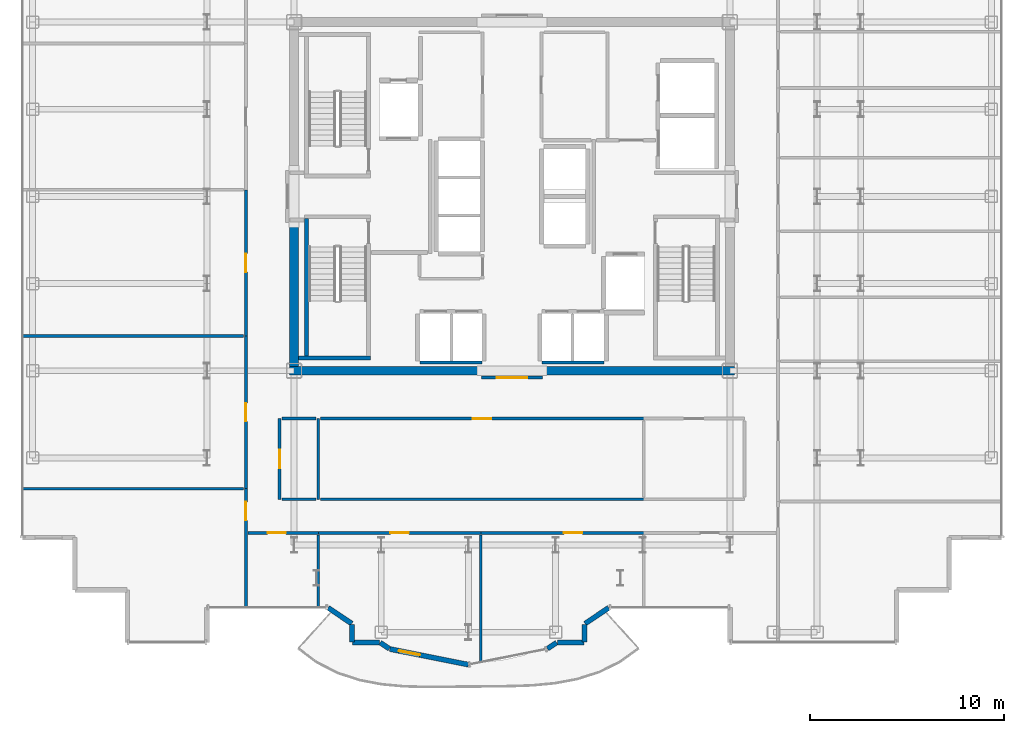
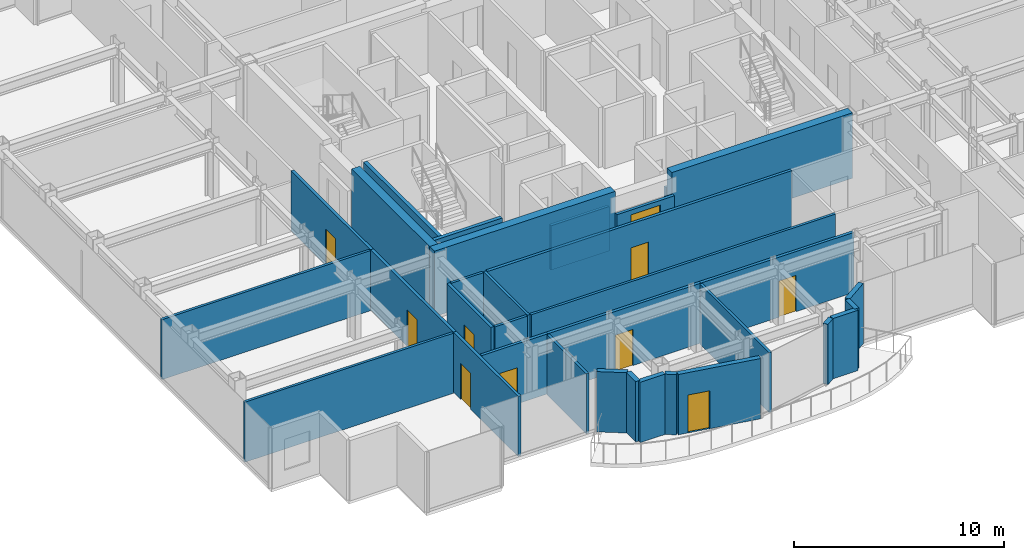
# One storey, part 14 of 21: 33 walls, 10 doors, 10 openings.
"""IFC4 building model written with IfcOpenShell, lengths in metres."""

from ifc_helpers import new_model, si_unit, direction, frame, frame_2d, origin, place, context, subcontext, project, spatial, rectangle, extrude, source, transform, mapped, material, layer, layer_set, type_object, element, fill, save


model = new_model("IFC4")

# Units and contexts
model_context = context("Model", 3, precision=1e-05, world=origin(), true_north=direction((0.0, 1.0)))
body_context = subcontext(model_context, "Body", "Model", "MODEL_VIEW")
ifc_project = project(units=[si_unit("LENGTHUNIT", "METRE"), si_unit("AREAUNIT", "SQUARE_METRE"), si_unit("VOLUMEUNIT", "CUBIC_METRE"), si_unit("PLANEANGLEUNIT", "RADIAN"), si_unit("MASSUNIT", "GRAM", prefix="KILO")], contexts=[model_context])

# Site, building, storey
site_placement = place(None, origin())
site = spatial("IfcSite", under=ifc_project, at=site_placement, CompositionType="ELEMENT")
building_placement = place(site_placement, origin())
building = spatial("IfcBuilding", under=site, at=building_placement, Name="Nefas-Gora Pilgrimage Tower", CompositionType="ELEMENT")
storey_placement = place(building_placement, frame((0.0, 0.0, 256.0)))
storey = spatial("IfcBuildingStorey", under=building, at=storey_placement, Name="L64", CompositionType="ELEMENT", Elevation=256.0)

# Walls
ifc_material_1 = material(Name="Concrete C50/60", Category="concrete")
ifc_layer_1 = layer(ifc_material_1, 0.449951171875)
ifc_layer_set_1 = layer_set([ifc_layer_1], Name="Concrete C50/60")
wall_type_1 = type_object("IfcWallType", Name="SW-CORE-450", PredefinedType="SHEAR", material=ifc_layer_set_1)
shared_shape_1 = source(origin(), body_context, "Body", "SweptSolid", [
    extrude(rectangle(XDim=9.925048828125, YDim=0.449951171875, at=frame_2d((4.96240234375, 0.0))), origin(), (0.0, 0.0, 1.0), 3.800048828125),
])
for number, where, z_axis, x_axis, name in (
    (1, (-11.47509765625, -9.0, 0.0), (0.0, 0.0, 1.0), (1.0, 0.0, 0.0), "L64 Core Shear Wall S-West"),
    (2, (1.550048828125, -9.0, 0.0), (0.0, 0.0, 1.0), (1.0, 0.0, 0.0), "L64 Core Shear Wall S-East"),
):
    element("IfcWall", number, at=place(storey_placement, frame(where, z_axis=z_axis, x_axis=x_axis)), inside=storey, type_object=wall_type_1, Name=name, PredefinedType="SHEAR", context=body_context, shape_type="MappedRepresentation", body=[
        mapped(shared_shape_1, transform((0.0, 0.0, 0.0), x_axis=(1.0, 0.0, 0.0), y_axis=(0.0, 1.0, 0.0), z_axis=(0.0, 0.0, 1.0), scale=1.0)),
    ])
shared_shape_2 = source(origin(), body_context, "Body", "SweptSolid", [
    extrude(rectangle(XDim=7.4248046875, YDim=0.449951171875, at=frame_2d((3.71240234375, 0.0))), origin(), (0.0, 0.0, 1.0), 3.800048828125),
])
wall_1_placement = place(storey_placement, frame((-11.25, -8.77490234375, 0.0), z_axis=(0.0, 0.0, 1.0), x_axis=(0.0, 1.0, 0.0)))
element("IfcWall", 3, at=wall_1_placement, inside=storey, type_object=wall_type_1, Name="L64 Core Shear Wall W-South", PredefinedType="SHEAR", context=body_context, shape_type="MappedRepresentation", body=[
    mapped(shared_shape_2, transform((0.0, 0.0, 0.0), x_axis=(1.0, 0.0, 0.0), y_axis=(0.0, 1.0, 0.0), z_axis=(0.0, 0.0, 1.0), scale=1.0)),
])
ifc_material_2 = material(Name="Precast concrete C40/50", Category="concrete")
ifc_layer_2 = layer(ifc_material_2, 0.260009765625)
ifc_layer_set_2 = layer_set([ifc_layer_2], Name="Precast concrete C40/50")
wall_type_2 = type_object("IfcWallType", Name="EW-PORTAL-260", PredefinedType="SOLIDWALL", material=ifc_layer_set_2)
shared_shape_3 = source(origin(), body_context, "Body", "SweptSolid", [
    extrude(rectangle(XDim=1.468994140625, YDim=0.260009765625, at=frame_2d((0.734375, 0.0))), origin(), (0.0, 0.0, 1.0), 3.5),
])
for number, where, z_axis, x_axis, name in (
    (4, (-9.49462890625, -21.235595703125, 0.0), (0.0, 0.0, 1.0), (0.831461760506, -0.555581983884, 0.0), "L64 Lobe Shoulder Precast Spandrel Pier 30"),
    (5, (3.773193359375, -22.0517578125, 0.0), (0.0, 0.0, 1.0), (0.831461760506, 0.555581983884, 0.0), "L64 Lobe Shoulder Precast Spandrel Pier 38"),
):
    element("IfcWall", number, at=place(storey_placement, frame(where, z_axis=z_axis, x_axis=x_axis)), inside=storey, type_object=wall_type_2, Name=name, PredefinedType="SOLIDWALL", context=body_context, shape_type="MappedRepresentation", body=[
        mapped(shared_shape_3, transform((0.0, 0.0, 0.0), x_axis=(1.0, 0.0, 0.0), y_axis=(0.0, 1.0, 0.0), z_axis=(0.0, 0.0, 1.0), scale=1.0)),
    ])
shared_shape_4 = source(origin(), body_context, "Body", "SweptSolid", [
    extrude(rectangle(XDim=0.896728515625, YDim=0.260009765625, at=frame_2d((0.4482421875, 0.0))), origin(), (0.0, 0.0, 1.0), 3.5),
])
for number, where, z_axis, x_axis, name in (
    (6, (-8.25, -22.09521484375, 0.0), (0.0, 0.0, 1.0), (0.0, -1.0, 0.0), "L64 Lobe Shoulder Precast Spandrel Pier 31"),
    (7, (3.75, -22.991943359375, 0.0), (0.0, 0.0, 1.0), (0.0, 1.0, 0.0), "L64 Lobe Shoulder Precast Spandrel Pier 37"),
):
    element("IfcWall", number, at=place(storey_placement, frame(where, z_axis=z_axis, x_axis=x_axis)), inside=storey, type_object=wall_type_2, Name=name, PredefinedType="SOLIDWALL", context=body_context, shape_type="MappedRepresentation", body=[
        mapped(shared_shape_4, transform((0.0, 0.0, 0.0), x_axis=(1.0, 0.0, 0.0), y_axis=(0.0, 1.0, 0.0), z_axis=(0.0, 0.0, 1.0), scale=1.0)),
    ])
shared_shape_5 = source(origin(), body_context, "Body", "SweptSolid", [
    extrude(rectangle(XDim=1.369873046875, YDim=0.260009765625, at=frame_2d((0.68505859375, 0.0))), origin(), (0.0, 0.0, 1.0), 3.5),
])
for number, where, z_axis, x_axis, name in (
    (8, (-8.221923828125, -23.02001953125, 0.0), (0.0, 0.0, 1.0), (1.0, 0.0, 0.0), "L64 Lobe Shoulder Precast Spandrel Pier 32"),
    (9, (2.35205078125, -23.02001953125, 0.0), (0.0, 0.0, 1.0), (1.0, 0.0, 0.0), "L64 Lobe Shoulder Precast Spandrel Pier 36"),
):
    element("IfcWall", number, at=place(storey_placement, frame(where, z_axis=z_axis, x_axis=x_axis)), inside=storey, type_object=wall_type_2, Name=name, PredefinedType="SOLIDWALL", context=body_context, shape_type="MappedRepresentation", body=[
        mapped(shared_shape_5, transform((0.0, 0.0, 0.0), x_axis=(1.0, 0.0, 0.0), y_axis=(0.0, 1.0, 0.0), z_axis=(0.0, 0.0, 1.0), scale=1.0)),
    ])
shared_shape_6 = source(origin(), body_context, "Body", "SweptSolid", [
    extrude(rectangle(XDim=0.5654296875, YDim=0.260009765625, at=frame_2d((0.28271484375, 0.0))), origin(), (0.0, 0.0, 1.0), 3.5),
])
for number, where, z_axis, x_axis, name in (
    (10, (-6.80078125, -23.03564453125, 0.0), (0.0, 0.0, 1.0), (0.831651492666, -0.555297933317, 0.0), "L64 Lobe Shoulder Precast Spandrel Pier 33"),
    (11, (1.83056640625, -23.349609375, 0.0), (0.0, 0.0, 1.0), (0.831651492666, 0.555297933317, 0.0), "L64 Lobe Shoulder Precast Spandrel Pier 35"),
):
    element("IfcWall", number, at=place(storey_placement, frame(where, z_axis=z_axis, x_axis=x_axis)), inside=storey, type_object=wall_type_2, Name=name, PredefinedType="SOLIDWALL", context=body_context, shape_type="MappedRepresentation", body=[
        mapped(shared_shape_6, transform((0.0, 0.0, 0.0), x_axis=(1.0, 0.0, 0.0), y_axis=(0.0, 1.0, 0.0), z_axis=(0.0, 0.0, 1.0), scale=1.0)),
    ])

# Wall, opening, door
shared_shape_7 = source(origin(), body_context, "Body", "SweptSolid", [
    extrude(rectangle(XDim=4.136962890625, YDim=0.260009765625, at=frame_2d((2.068359375, 0.0))), origin(), (0.0, 0.0, 1.0), 3.5),
])
wall_2_placement = place(storey_placement, frame((-6.307373046875, -23.365234375, 0.0), z_axis=(0.0, 0.0, 1.0), x_axis=(0.980782170794, -0.195105954428, 0.0)))
wall_2 = element("IfcWall", 12, at=wall_2_placement, inside=storey, type_object=wall_type_2, Name="L64 Insulated Terrace Portal Wall 34", PredefinedType="SOLIDWALL", context=body_context, shape_type="MappedRepresentation", body=[
    mapped(shared_shape_7, transform((0.0, 0.0, 0.0), x_axis=(1.0, 0.0, 0.0), y_axis=(0.0, 1.0, 0.0), z_axis=(0.0, 0.0, 1.0), scale=1.0)),
])
opening_1_placement = place(wall_2_placement, frame((0.48779296875, 0.0, 0.0)))
opening_1 = element("IfcOpeningElement", 13, at=opening_1_placement, cuts=wall_2, Name="Opening ED-B1", PredefinedType="OPENING", context=body_context, shape_type="SweptSolid", body=[
    extrude(rectangle(XDim=1.10009765625, YDim=2.199951171875, at=frame_2d((0.550048828125, 1.10009765625))), frame((0.0, 0.139892578125, 0.0), z_axis=(0.0, -1.0, 0.0), x_axis=(1.0, 0.0, 0.0)), (0.0, 0.0, 1.0), 0.280029296875),
])
ifc_material_3 = material(Name="Thermally broken glazed aluminium balcony door", Category="aluminium")
door_type_1 = type_object("IfcDoorType", Name="DR-EXT-BAL-1100", OperationType="NOTDEFINED", PredefinedType="DOOR", material=ifc_material_3)
shared_shape_8 = source(origin(), body_context, "Body", "SweptSolid", [
    extrude(rectangle(XDim=1.10009765625, YDim=2.199951171875, at=frame_2d((0.550048828125, 1.10009765625))), frame((0.0, 0.02490234375, 0.0), z_axis=(0.0, -1.0, 0.0), x_axis=(1.0, 0.0, 0.0)), (0.0, 0.0, 1.0), 0.050048828125),
])
door_1_placement = place(opening_1_placement, origin())
door_1 = element("IfcDoor", 14, at=door_1_placement, inside=storey, type_object=door_type_1, Name="L64 Exterior Door (L64 S Lobe Wave Balcony)", OperationType="SINGLE_SWING_RIGHT", OverallHeight=2.199951171875, OverallWidth=1.10009765625, PredefinedType="DOOR", context=body_context, shape_type="MappedRepresentation", body=[
    mapped(shared_shape_8, transform((0.0, 0.0, 0.0), x_axis=(1.0, 0.0, 0.0), y_axis=(0.0, 1.0, 0.0), z_axis=(0.0, 0.0, 1.0), scale=1.0)),
])
fill(opening_1, door_1)

# Walls
ifc_material_4 = material(Name="Concrete C45/55", Category="concrete")
ifc_layer_3 = layer(ifc_material_4, 0.199951171875)
ifc_layer_set_3 = layer_set([ifc_layer_3], Name="Concrete C45/55")
wall_type_3 = type_object("IfcWallType", Name="IW-STAIR-200", PredefinedType="SOLIDWALL", material=ifc_layer_set_3)
shared_shape_9 = source(origin(), body_context, "Body", "SweptSolid", [
    extrude(rectangle(XDim=7.10009765625, YDim=0.199951171875, at=frame_2d((3.550048828125, 0.0))), origin(), (0.0, 0.0, 1.0), 3.800048828125),
])
wall_3_placement = place(storey_placement, frame((-10.60009765625, -1.14990234375, 0.0), z_axis=(0.0, 0.0, 1.0), x_axis=(0.0, -1.0, 0.0)))
element("IfcWall", 15, at=wall_3_placement, inside=storey, type_object=wall_type_3, Name="L64 Stairwell Shear Wall ST-03-left", PredefinedType="SOLIDWALL", context=body_context, shape_type="MappedRepresentation", body=[
    mapped(shared_shape_9, transform((0.0, 0.0, 0.0), x_axis=(1.0, 0.0, 0.0), y_axis=(0.0, 1.0, 0.0), z_axis=(0.0, 0.0, 1.0), scale=1.0)),
])
shared_shape_10 = source(origin(), body_context, "Body", "SweptSolid", [
    extrude(rectangle(XDim=3.72998046875, YDim=0.199951171875, at=frame_2d((1.864990234375, 0.0))), origin(), (0.0, 0.0, 1.0), 3.800048828125),
])
wall_4_placement = place(storey_placement, frame((-11.030029296875, -8.35009765625, 0.0), z_axis=(0.0, 0.0, 1.0), x_axis=(1.0, 0.0, 0.0)))
element("IfcWall", 16, at=wall_4_placement, inside=storey, type_object=wall_type_3, Name="L64 Stairwell Shear Wall ST-03-far", PredefinedType="SOLIDWALL", context=body_context, shape_type="MappedRepresentation", body=[
    mapped(shared_shape_10, transform((0.0, 0.0, 0.0), x_axis=(1.0, 0.0, 0.0), y_axis=(0.0, 1.0, 0.0), z_axis=(0.0, 0.0, 1.0), scale=1.0)),
])
ifc_material_5 = material(Name="Gypsum acoustic stud partition")
ifc_layer_4 = layer(ifc_material_5, 0.159912109375)
ifc_layer_set_4 = layer_set([ifc_layer_4], Name="Gypsum acoustic stud partition")
wall_type_4 = type_object("IfcWallType", Name="IW-CORR-160", PredefinedType="PARTITIONING", material=ifc_layer_set_4)
shared_shape_11 = source(origin(), body_context, "Body", "SweptSolid", [
    extrude(rectangle(XDim=3.199951171875, YDim=0.159912109375, at=frame_2d((1.60009765625, 0.0))), origin(), (0.0, 0.0, 1.0), 2.574951171875),
])
for number, where, z_axis, x_axis, name in (
    (17, (-4.75, -8.580078125, 0.0), (0.0, 0.0, 1.0), (1.0, 0.0, 0.0), "L64 Hoistway Wall PL2-W-S"),
    (18, (1.550048828125, -8.580078125, 0.0), (0.0, 0.0, 1.0), (1.0, 0.0, 0.0), "L64 Hoistway Wall PL2-E-S"),
):
    element("IfcWall", number, at=place(storey_placement, frame(where, z_axis=z_axis, x_axis=x_axis)), inside=storey, type_object=wall_type_4, Name=name, PredefinedType="PARTITIONING", context=body_context, shape_type="MappedRepresentation", body=[
        mapped(shared_shape_11, transform((0.0, 0.0, 0.0), x_axis=(1.0, 0.0, 0.0), y_axis=(0.0, 1.0, 0.0), z_axis=(0.0, 0.0, 1.0), scale=1.0)),
    ])

# Wall, opening, door
shared_shape_12 = source(origin(), body_context, "Body", "SweptSolid", [
    extrude(rectangle(XDim=3.625, YDim=0.159912109375, at=frame_2d((1.8125, 0.0))), origin(), (0.0, 0.0, 1.0), 3.485107421875),
])
wall_5_placement = place(storey_placement, frame((-13.6201171875, -17.3701171875, 0.0), z_axis=(0.0, 0.0, 1.0), x_axis=(1.0, 0.0, 0.0)))
wall_5 = element("IfcWall", 19, at=wall_5_placement, inside=storey, type_object=wall_type_4, Name="L64 Pilgrim Contemplative Lounge Partition Wall 75", PredefinedType="PARTITIONING", context=body_context, shape_type="MappedRepresentation", body=[
    mapped(shared_shape_12, transform((0.0, 0.0, 0.0), x_axis=(1.0, 0.0, 0.0), y_axis=(0.0, 1.0, 0.0), z_axis=(0.0, 0.0, 1.0), scale=1.0)),
])
opening_2_placement = place(wall_5_placement, frame((0.9990234375, 0.0, 0.0)))
opening_2 = element("IfcOpeningElement", 20, at=opening_2_placement, cuts=wall_5, Name="Opening ID-GR1", PredefinedType="OPENING", context=body_context, shape_type="SweptSolid", body=[
    extrude(rectangle(XDim=0.949951171875, YDim=2.10009765625, at=frame_2d((0.47509765625, 1.050048828125))), frame((0.0, 0.08984375, 0.0), z_axis=(0.0, -1.0, 0.0), x_axis=(1.0, 0.0, 0.0)), (0.0, 0.0, 1.0), 0.179931640625),
])
ifc_material_6 = material(Name="Solid core oak fire-rated guest entrance door")
door_type_2 = type_object("IfcDoorType", Name="DR-INT-GUEST-950", OperationType="NOTDEFINED", PredefinedType="DOOR", material=ifc_material_6)
shared_shape_13 = source(origin(), body_context, "Body", "SweptSolid", [
    extrude(rectangle(XDim=0.949951171875, YDim=2.10009765625, at=frame_2d((0.47509765625, 1.050048828125))), frame((0.0, 0.02490234375, 0.0), z_axis=(0.0, -1.0, 0.0), x_axis=(1.0, 0.0, 0.0)), (0.0, 0.0, 1.0), 0.050048828125),
])
door_2_placement = place(opening_2_placement, origin())
door_2 = element("IfcDoor", 21, at=door_2_placement, inside=storey, type_object=door_type_2, Name="L64 Pilgrim Contemplative Lounge Door 34", OperationType="SINGLE_SWING_RIGHT", OverallHeight=2.10009765625, OverallWidth=0.949951171875, PredefinedType="DOOR", context=body_context, shape_type="MappedRepresentation", body=[
    mapped(shared_shape_13, transform((0.0, 0.0, 0.0), x_axis=(1.0, 0.0, 0.0), y_axis=(0.0, 1.0, 0.0), z_axis=(0.0, 0.0, 1.0), scale=1.0)),
])
fill(opening_2, door_2)

shared_shape_14 = source(origin(), body_context, "Body", "SweptSolid", [
    extrude(rectangle(XDim=8.405029296875, YDim=0.159912109375, at=frame_2d((4.20263671875, 0.0))), origin(), (0.0, 0.0, 1.0), 3.485107421875),
])
wall_6_placement = place(storey_placement, frame((-1.60009765625, -17.3701171875, 0.0), z_axis=(0.0, 0.0, 1.0), x_axis=(1.0, 0.0, 0.0)))
wall_6 = element("IfcWall", 22, at=wall_6_placement, inside=storey, type_object=wall_type_4, Name="L64 Pilgrim Contemplative Lounge Partition Wall 83", PredefinedType="PARTITIONING", context=body_context, shape_type="MappedRepresentation", body=[
    mapped(shared_shape_14, transform((0.0, 0.0, 0.0), x_axis=(1.0, 0.0, 0.0), y_axis=(0.0, 1.0, 0.0), z_axis=(0.0, 0.0, 1.0), scale=1.0)),
])
opening_3_placement = place(wall_6_placement, frame((4.279052734375, 0.0, 0.0)))
opening_3 = element("IfcOpeningElement", 23, at=opening_3_placement, cuts=wall_6, Name="Opening ID-GR1", PredefinedType="OPENING", context=body_context, shape_type="SweptSolid", body=[
    extrude(rectangle(XDim=0.949951171875, YDim=2.10009765625, at=frame_2d((0.47509765625, 1.050048828125))), frame((0.0, 0.08984375, 0.0), z_axis=(0.0, -1.0, 0.0), x_axis=(1.0, 0.0, 0.0)), (0.0, 0.0, 1.0), 0.179931640625),
])
door_3_placement = place(opening_3_placement, origin())
door_3 = element("IfcDoor", 24, at=door_3_placement, inside=storey, type_object=door_type_2, Name="L64 Pilgrim Contemplative Lounge Door 37", OperationType="SINGLE_SWING_LEFT", OverallHeight=2.10009765625, OverallWidth=0.949951171875, PredefinedType="DOOR", context=body_context, shape_type="MappedRepresentation", body=[
    mapped(shared_shape_13, transform((0.0, 0.0, 0.0), x_axis=(1.0, 0.0, 0.0), y_axis=(0.0, 1.0, 0.0), z_axis=(0.0, 0.0, 1.0), scale=1.0)),
])
fill(opening_3, door_3)

# Walls
ifc_material_7 = material(Name="Gypsum twin-stud partition")
ifc_layer_5 = layer(ifc_material_7, 0.139892578125)
ifc_layer_set_5 = layer_set([ifc_layer_5], Name="Gypsum twin-stud partition")
wall_type_5 = type_object("IfcWallType", Name="IW-UNIT-140", PredefinedType="PARTITIONING", material=ifc_layer_set_5)
shared_shape_15 = source(origin(), body_context, "Body", "SweptSolid", [
    extrude(rectangle(XDim=11.429931640625, YDim=0.139892578125, at=frame_2d((5.71484375, 0.0))), origin(), (0.0, 0.0, 1.0), 3.485107421875),
])
for number, where, z_axis, x_axis, name in (
    (25, (-25.2900390625, -15.097412109375, 0.0), (0.0, 0.0, 1.0), (1.0, 0.0, 0.0), "L64 Pilgrim Devotional Prayer Gallery Partition Wall 29"),
    (26, (-25.2900390625, -7.205078125, 0.0), (0.0, 0.0, 1.0), (1.0, 0.0, 0.0), "L64 Pilgrim Devotional Prayer Gallery Partition Wall 31"),
):
    element("IfcWall", number, at=place(storey_placement, frame(where, z_axis=z_axis, x_axis=x_axis)), inside=storey, type_object=wall_type_5, Name=name, PredefinedType="PARTITIONING", context=body_context, shape_type="MappedRepresentation", body=[
        mapped(shared_shape_15, transform((0.0, 0.0, 0.0), x_axis=(1.0, 0.0, 0.0), y_axis=(0.0, 1.0, 0.0), z_axis=(0.0, 0.0, 1.0), scale=1.0)),
    ])
shared_shape_16 = source(origin(), body_context, "Body", "SweptSolid", [
    extrude(rectangle(XDim=3.75, YDim=0.139892578125, at=frame_2d((1.875, 0.0))), origin(), (0.0, 0.0, 1.0), 3.485107421875),
])
wall_7_placement = place(storey_placement, frame((-10.0048828125, -21.239990234375, 0.0), z_axis=(0.0, 0.0, 1.0), x_axis=(0.0, 1.0, 0.0)))
element("IfcWall", 27, at=wall_7_placement, inside=storey, type_object=wall_type_5, Name="L64 Pilgrim Contemplative Lounge Partition Wall 76", PredefinedType="PARTITIONING", context=body_context, shape_type="MappedRepresentation", body=[
    mapped(shared_shape_16, transform((0.0, 0.0, 0.0), x_axis=(1.0, 0.0, 0.0), y_axis=(0.0, 1.0, 0.0), z_axis=(0.0, 0.0, 1.0), scale=1.0)),
])

# Wall, opening, door
shared_shape_17 = source(origin(), body_context, "Body", "SweptSolid", [
    extrude(rectangle(XDim=4.179931640625, YDim=0.159912109375, at=frame_2d((2.08984375, 0.0))), origin(), (0.0, 0.0, 1.0), 3.485107421875),
])
wall_8_placement = place(storey_placement, frame((-12.0, -15.639892578125, 0.0), z_axis=(0.0, 0.0, 1.0), x_axis=(0.0, 1.0, 0.0)))
wall_8 = element("IfcWall", 28, at=wall_8_placement, inside=storey, type_object=wall_type_4, Name="L64 Pilgrim Contemplative Lounge Partition Wall 77", PredefinedType="PARTITIONING", context=body_context, shape_type="MappedRepresentation", body=[
    mapped(shared_shape_17, transform((0.0, 0.0, 0.0), x_axis=(1.0, 0.0, 0.0), y_axis=(0.0, 1.0, 0.0), z_axis=(0.0, 0.0, 1.0), scale=1.0)),
])
opening_4_placement = place(wall_8_placement, frame((1.614990234375, 0.0, 0.0)))
opening_4 = element("IfcOpeningElement", 29, at=opening_4_placement, cuts=wall_8, Name="Opening ID-GR1", PredefinedType="OPENING", context=body_context, shape_type="SweptSolid", body=[
    extrude(rectangle(XDim=0.949951171875, YDim=2.10009765625, at=frame_2d((0.47509765625, 1.050048828125))), frame((0.0, 0.08984375, 0.0), z_axis=(0.0, -1.0, 0.0), x_axis=(1.0, 0.0, 0.0)), (0.0, 0.0, 1.0), 0.179931640625),
])
door_4_placement = place(opening_4_placement, origin())
door_4 = element("IfcDoor", 30, at=door_4_placement, inside=storey, type_object=door_type_2, Name="L64 Pilgrim Contemplative Lounge Door 35", OperationType="SINGLE_SWING_LEFT", OverallHeight=2.10009765625, OverallWidth=0.949951171875, PredefinedType="DOOR", context=body_context, shape_type="MappedRepresentation", body=[
    mapped(shared_shape_13, transform((0.0, 0.0, 0.0), x_axis=(1.0, 0.0, 0.0), y_axis=(0.0, 1.0, 0.0), z_axis=(0.0, 0.0, 1.0), scale=1.0)),
])
fill(opening_4, door_4)

# Walls
shared_shape_18 = source(origin(), body_context, "Body", "SweptSolid", [
    extrude(rectangle(XDim=4.179931640625, YDim=0.139892578125, at=frame_2d((2.08984375, 0.0))), origin(), (0.0, 0.0, 1.0), 3.485107421875),
])
wall_9_placement = place(storey_placement, frame((-10.0048828125, -15.639892578125, 0.0), z_axis=(0.0, 0.0, 1.0), x_axis=(0.0, 1.0, 0.0)))
element("IfcWall", 31, at=wall_9_placement, inside=storey, type_object=wall_type_5, Name="L64 Pilgrim Contemplative Lounge Partition Wall 78", PredefinedType="PARTITIONING", context=body_context, shape_type="MappedRepresentation", body=[
    mapped(shared_shape_18, transform((0.0, 0.0, 0.0), x_axis=(1.0, 0.0, 0.0), y_axis=(0.0, 1.0, 0.0), z_axis=(0.0, 0.0, 1.0), scale=1.0)),
])
shared_shape_19 = source(origin(), body_context, "Body", "SweptSolid", [
    extrude(rectangle(XDim=1.764892578125, YDim=0.139892578125, at=frame_2d((0.88232421875, 0.0))), origin(), (0.0, 0.0, 1.0), 3.485107421875),
])
for number, where, z_axis, x_axis, name in (
    (32, (-11.8798828125, -11.469970703125, 0.0), (0.0, 0.0, 1.0), (1.0, 0.0, 0.0), "L64 Pilgrim Contemplative Lounge Partition Wall 79"),
    (33, (-11.8798828125, -15.6298828125, 0.0), (0.0, 0.0, 1.0), (1.0, 0.0, 0.0), "L64 Pilgrim Contemplative Lounge Partition Wall 80"),
):
    element("IfcWall", number, at=place(storey_placement, frame(where, z_axis=z_axis, x_axis=x_axis)), inside=storey, type_object=wall_type_5, Name=name, PredefinedType="PARTITIONING", context=body_context, shape_type="MappedRepresentation", body=[
        mapped(shared_shape_19, transform((0.0, 0.0, 0.0), x_axis=(1.0, 0.0, 0.0), y_axis=(0.0, 1.0, 0.0), z_axis=(0.0, 0.0, 1.0), scale=1.0)),
    ])

# Wall, opening, door
shared_shape_20 = source(origin(), body_context, "Body", "SweptSolid", [
    extrude(rectangle(XDim=3.16015625, YDim=0.159912109375, at=frame_2d((1.580078125, 0.0))), origin(), (0.0, 0.0, 1.0), 2.574951171875),
])
wall_10_placement = place(storey_placement, frame((-1.580078125, -9.35009765625, 0.0), z_axis=(0.0, 0.0, 1.0), x_axis=(1.0, 0.0, 0.0)))
wall_10 = element("IfcWall", 34, at=wall_10_placement, inside=storey, type_object=wall_type_4, Name="L64 Central Lift Lobby South Portal Wall 16", PredefinedType="PARTITIONING", context=body_context, shape_type="MappedRepresentation", body=[
    mapped(shared_shape_20, transform((0.0, 0.0, 0.0), x_axis=(1.0, 0.0, 0.0), y_axis=(0.0, 1.0, 0.0), z_axis=(0.0, 0.0, 1.0), scale=1.0)),
])
opening_5_placement = place(wall_10_placement, frame((0.780029296875, 0.0, 0.0)))
opening_5 = element("IfcOpeningElement", 35, at=opening_5_placement, cuts=wall_10, Name="Opening ID-HL1", PredefinedType="OPENING", context=body_context, shape_type="SweptSolid", body=[
    extrude(rectangle(XDim=1.60009765625, YDim=2.300048828125, at=frame_2d((0.800048828125, 1.14990234375))), frame((0.0, 0.08984375, 0.0), z_axis=(0.0, -1.0, 0.0), x_axis=(1.0, 0.0, 0.0)), (0.0, 0.0, 1.0), 0.179931640625),
])
ifc_material_8 = material(Name="Double acoustic timber assembly hall door", Category="wood")
door_type_3 = type_object("IfcDoorType", Name="DR-INT-HALL-1600", OperationType="DOUBLE_DOOR_SINGLE_SWING", PredefinedType="DOOR", material=ifc_material_8)
shared_shape_21 = source(origin(), body_context, "Body", "SweptSolid", [
    extrude(rectangle(XDim=1.60009765625, YDim=2.300048828125, at=frame_2d((0.800048828125, 1.14990234375))), frame((0.0, 0.02490234375, 0.0), z_axis=(0.0, -1.0, 0.0), x_axis=(1.0, 0.0, 0.0)), (0.0, 0.0, 1.0), 0.050048828125),
])
door_5_placement = place(opening_5_placement, origin())
door_5 = element("IfcDoor", 36, at=door_5_placement, inside=storey, type_object=door_type_3, Name="L64 Central Lift Lobby South Portal Door 6", OperationType="DOUBLE_DOOR_SINGLE_SWING", OverallHeight=2.300048828125, OverallWidth=1.60009765625, PredefinedType="DOOR", context=body_context, shape_type="MappedRepresentation", body=[
    mapped(shared_shape_21, transform((0.0, 0.0, 0.0), x_axis=(1.0, 0.0, 0.0), y_axis=(0.0, 1.0, 0.0), z_axis=(0.0, 0.0, 1.0), scale=1.0)),
])
fill(opening_5, door_5)

shared_shape_22 = source(origin(), body_context, "Body", "SweptSolid", [
    extrude(rectangle(XDim=6.152587890625, YDim=0.159912109375, at=frame_2d((3.076171875, 0.0))), origin(), (0.0, 0.0, 1.0), 3.485107421875),
])
wall_11_placement = place(storey_placement, frame((-13.739990234375, -21.239990234375, 0.0), z_axis=(0.0, 0.0, 1.0), x_axis=(0.0, 1.0, 0.0)))
wall_11 = element("IfcWall", 37, at=wall_11_placement, inside=storey, type_object=wall_type_4, Name="L64 Pilgrim Devotional Prayer Gallery Partition Wall 28", PredefinedType="PARTITIONING", context=body_context, shape_type="MappedRepresentation", body=[
    mapped(shared_shape_22, transform((0.0, 0.0, 0.0), x_axis=(1.0, 0.0, 0.0), y_axis=(0.0, 1.0, 0.0), z_axis=(0.0, 0.0, 1.0), scale=1.0)),
])
opening_6_placement = place(wall_11_placement, frame((4.51611328125, 0.0, 0.0)))
opening_6 = element("IfcOpeningElement", 38, at=opening_6_placement, cuts=wall_11, Name="Opening ID-GR1", PredefinedType="OPENING", context=body_context, shape_type="SweptSolid", body=[
    extrude(rectangle(XDim=0.949951171875, YDim=2.10009765625, at=frame_2d((0.47509765625, 1.050048828125))), frame((0.0, 0.08984375, 0.0), z_axis=(0.0, -1.0, 0.0), x_axis=(1.0, 0.0, 0.0)), (0.0, 0.0, 1.0), 0.179931640625),
])
door_6_placement = place(opening_6_placement, origin())
door_6 = element("IfcDoor", 39, at=door_6_placement, inside=storey, type_object=door_type_2, Name="L64 Pilgrim Devotional Prayer Gallery Door 11", OperationType="SINGLE_SWING_LEFT", OverallHeight=2.10009765625, OverallWidth=0.949951171875, PredefinedType="DOOR", context=body_context, shape_type="MappedRepresentation", body=[
    mapped(shared_shape_13, transform((0.0, 0.0, 0.0), x_axis=(1.0, 0.0, 0.0), y_axis=(0.0, 1.0, 0.0), z_axis=(0.0, 0.0, 1.0), scale=1.0)),
])
fill(opening_6, door_6)

shared_shape_23 = source(origin(), body_context, "Body", "SweptSolid", [
    extrude(rectangle(XDim=7.892333984375, YDim=0.159912109375, at=frame_2d((3.9462890625, 0.0))), origin(), (0.0, 0.0, 1.0), 3.485107421875),
])
wall_12_placement = place(storey_placement, frame((-13.739990234375, -15.08740234375, 0.0), z_axis=(0.0, 0.0, 1.0), x_axis=(0.0, 1.0, 0.0)))
wall_12 = element("IfcWall", 40, at=wall_12_placement, inside=storey, type_object=wall_type_4, Name="L64 Pilgrim Devotional Prayer Gallery Partition Wall 30", PredefinedType="PARTITIONING", context=body_context, shape_type="MappedRepresentation", body=[
    mapped(shared_shape_23, transform((0.0, 0.0, 0.0), x_axis=(1.0, 0.0, 0.0), y_axis=(0.0, 1.0, 0.0), z_axis=(0.0, 0.0, 1.0), scale=1.0)),
])
opening_7_placement = place(wall_12_placement, frame((3.47119140625, 0.0, 0.0)))
opening_7 = element("IfcOpeningElement", 41, at=opening_7_placement, cuts=wall_12, Name="Opening ID-GR1", PredefinedType="OPENING", context=body_context, shape_type="SweptSolid", body=[
    extrude(rectangle(XDim=0.949951171875, YDim=2.10009765625, at=frame_2d((0.47509765625, 1.050048828125))), frame((0.0, 0.08984375, 0.0), z_axis=(0.0, -1.0, 0.0), x_axis=(1.0, 0.0, 0.0)), (0.0, 0.0, 1.0), 0.179931640625),
])
door_7_placement = place(opening_7_placement, origin())
door_7 = element("IfcDoor", 42, at=door_7_placement, inside=storey, type_object=door_type_2, Name="L64 Pilgrim Devotional Prayer Gallery Door 12", OperationType="SINGLE_SWING_RIGHT", OverallHeight=2.10009765625, OverallWidth=0.949951171875, PredefinedType="DOOR", context=body_context, shape_type="MappedRepresentation", body=[
    mapped(shared_shape_13, transform((0.0, 0.0, 0.0), x_axis=(1.0, 0.0, 0.0), y_axis=(0.0, 1.0, 0.0), z_axis=(0.0, 0.0, 1.0), scale=1.0)),
])
fill(opening_7, door_7)

shared_shape_24 = source(origin(), body_context, "Body", "SweptSolid", [
    extrude(rectangle(XDim=7.54638671875, YDim=0.159912109375, at=frame_2d((3.773193359375, 0.0))), origin(), (0.0, 0.0, 1.0), 3.485107421875),
])
wall_13_placement = place(storey_placement, frame((-13.739990234375, -7.205078125, 0.0), z_axis=(0.0, 0.0, 1.0), x_axis=(0.0, 1.0, 0.0)))
wall_13 = element("IfcWall", 43, at=wall_13_placement, inside=storey, type_object=wall_type_4, Name="L64 Pilgrim Tea and Beverage Pantry Partition Wall 36", PredefinedType="PARTITIONING", context=body_context, shape_type="MappedRepresentation", body=[
    mapped(shared_shape_24, transform((0.0, 0.0, 0.0), x_axis=(1.0, 0.0, 0.0), y_axis=(0.0, 1.0, 0.0), z_axis=(0.0, 0.0, 1.0), scale=1.0)),
])
opening_8_placement = place(wall_13_placement, frame((3.298095703125, 0.0, 0.0)))
opening_8 = element("IfcOpeningElement", 44, at=opening_8_placement, cuts=wall_13, Name="Opening ID-GR1", PredefinedType="OPENING", context=body_context, shape_type="SweptSolid", body=[
    extrude(rectangle(XDim=0.949951171875, YDim=2.10009765625, at=frame_2d((0.47509765625, 1.050048828125))), frame((0.0, 0.08984375, 0.0), z_axis=(0.0, -1.0, 0.0), x_axis=(1.0, 0.0, 0.0)), (0.0, 0.0, 1.0), 0.179931640625),
])
door_8_placement = place(opening_8_placement, origin())
door_8 = element("IfcDoor", 45, at=door_8_placement, inside=storey, type_object=door_type_2, Name="L64 Pilgrim Tea and Beverage Pantry Door 15", OperationType="SINGLE_SWING_LEFT", OverallHeight=2.10009765625, OverallWidth=0.949951171875, PredefinedType="DOOR", context=body_context, shape_type="MappedRepresentation", body=[
    mapped(shared_shape_13, transform((0.0, 0.0, 0.0), x_axis=(1.0, 0.0, 0.0), y_axis=(0.0, 1.0, 0.0), z_axis=(0.0, 0.0, 1.0), scale=1.0)),
])
fill(opening_8, door_8)

shared_shape_25 = source(origin(), body_context, "Body", "SweptSolid", [
    extrude(rectangle(XDim=8.40478515625, YDim=0.159912109375, at=frame_2d((4.202392578125, 0.0))), origin(), (0.0, 0.0, 1.0), 3.485107421875),
])
wall_14_placement = place(storey_placement, frame((-10.0048828125, -17.3701171875, 0.0), z_axis=(0.0, 0.0, 1.0), x_axis=(1.0, 0.0, 0.0)))
wall_14 = element("IfcWall", 46, at=wall_14_placement, inside=storey, type_object=wall_type_4, Name="L64 Pilgrim Contemplative Lounge Partition Wall 81", PredefinedType="PARTITIONING", context=body_context, shape_type="MappedRepresentation", body=[
    mapped(shared_shape_25, transform((0.0, 0.0, 0.0), x_axis=(1.0, 0.0, 0.0), y_axis=(0.0, 1.0, 0.0), z_axis=(0.0, 0.0, 1.0), scale=1.0)),
])
opening_9_placement = place(wall_14_placement, frame((3.7275390625, 0.0, 0.0)))
opening_9 = element("IfcOpeningElement", 47, at=opening_9_placement, cuts=wall_14, Name="Opening ID-GR1", PredefinedType="OPENING", context=body_context, shape_type="SweptSolid", body=[
    extrude(rectangle(XDim=0.949951171875, YDim=2.10009765625, at=frame_2d((0.47509765625, 1.050048828125))), frame((0.0, 0.08984375, 0.0), z_axis=(0.0, -1.0, 0.0), x_axis=(1.0, 0.0, 0.0)), (0.0, 0.0, 1.0), 0.179931640625),
])
door_9_placement = place(opening_9_placement, origin())
door_9 = element("IfcDoor", 48, at=door_9_placement, inside=storey, type_object=door_type_2, Name="L64 Pilgrim Contemplative Lounge Door 36", OperationType="SINGLE_SWING_RIGHT", OverallHeight=2.10009765625, OverallWidth=0.949951171875, PredefinedType="DOOR", context=body_context, shape_type="MappedRepresentation", body=[
    mapped(shared_shape_13, transform((0.0, 0.0, 0.0), x_axis=(1.0, 0.0, 0.0), y_axis=(0.0, 1.0, 0.0), z_axis=(0.0, 0.0, 1.0), scale=1.0)),
])
fill(opening_9, door_9)

# Wall
shared_shape_26 = source(origin(), body_context, "Body", "SweptSolid", [
    extrude(rectangle(XDim=6.575439453125, YDim=0.139892578125, at=frame_2d((3.28759765625, 0.0))), origin(), (0.0, 0.0, 1.0), 3.485107421875),
])
wall_15_placement = place(storey_placement, frame((-1.610107421875, -24.0654296875, 0.0), z_axis=(0.0, 0.0, 1.0), x_axis=(0.0, 1.0, 0.0)))
element("IfcWall", 49, at=wall_15_placement, inside=storey, type_object=wall_type_5, Name="L64 Pilgrim Contemplative Lounge Partition Wall 82", PredefinedType="PARTITIONING", context=body_context, shape_type="MappedRepresentation", body=[
    mapped(shared_shape_26, transform((0.0, 0.0, 0.0), x_axis=(1.0, 0.0, 0.0), y_axis=(0.0, 1.0, 0.0), z_axis=(0.0, 0.0, 1.0), scale=1.0)),
])

# Wall, opening, door
shared_shape_27 = source(origin(), body_context, "Body", "SweptSolid", [
    extrude(rectangle(XDim=16.699951171875, YDim=0.159912109375, at=frame_2d((8.35009765625, 0.0))), origin(), (0.0, 0.0, 1.0), 3.485107421875),
])
wall_16_placement = place(storey_placement, frame((-9.89501953125, -11.469970703125, 0.0), z_axis=(0.0, 0.0, 1.0), x_axis=(1.0, 0.0, 0.0)))
wall_16 = element("IfcWall", 50, at=wall_16_placement, inside=storey, type_object=wall_type_4, Name="L64 Pilgrim Contemplative Lounge Partition Wall 85", PredefinedType="PARTITIONING", context=body_context, shape_type="MappedRepresentation", body=[
    mapped(shared_shape_27, transform((0.0, 0.0, 0.0), x_axis=(1.0, 0.0, 0.0), y_axis=(0.0, 1.0, 0.0), z_axis=(0.0, 0.0, 1.0), scale=1.0)),
])
opening_10_placement = place(wall_16_placement, frame((7.875, 0.0, 0.0)))
opening_10 = element("IfcOpeningElement", 51, at=opening_10_placement, cuts=wall_16, Name="Opening ID-GR1", PredefinedType="OPENING", context=body_context, shape_type="SweptSolid", body=[
    extrude(rectangle(XDim=0.949951171875, YDim=2.10009765625, at=frame_2d((0.47509765625, 1.050048828125))), frame((0.0, 0.08984375, 0.0), z_axis=(0.0, -1.0, 0.0), x_axis=(1.0, 0.0, 0.0)), (0.0, 0.0, 1.0), 0.179931640625),
])
door_10_placement = place(opening_10_placement, origin())
door_10 = element("IfcDoor", 52, at=door_10_placement, inside=storey, type_object=door_type_2, Name="L64 Pilgrim Contemplative Lounge Door 38", OperationType="SINGLE_SWING_RIGHT", OverallHeight=2.10009765625, OverallWidth=0.949951171875, PredefinedType="DOOR", context=body_context, shape_type="MappedRepresentation", body=[
    mapped(shared_shape_13, transform((0.0, 0.0, 0.0), x_axis=(1.0, 0.0, 0.0), y_axis=(0.0, 1.0, 0.0), z_axis=(0.0, 0.0, 1.0), scale=1.0)),
])
fill(opening_10, door_10)

# Wall
shared_shape_28 = source(origin(), body_context, "Body", "SweptSolid", [
    extrude(rectangle(XDim=16.699951171875, YDim=0.139892578125, at=frame_2d((8.35009765625, 0.0))), origin(), (0.0, 0.0, 1.0), 3.485107421875),
])
wall_17_placement = place(storey_placement, frame((-9.89501953125, -15.6298828125, 0.0), z_axis=(0.0, 0.0, 1.0), x_axis=(1.0, 0.0, 0.0)))
element("IfcWall", 53, at=wall_17_placement, inside=storey, type_object=wall_type_5, Name="L64 Pilgrim Contemplative Lounge Partition Wall 86", PredefinedType="PARTITIONING", context=body_context, shape_type="MappedRepresentation", body=[
    mapped(shared_shape_28, transform((0.0, 0.0, 0.0), x_axis=(1.0, 0.0, 0.0), y_axis=(0.0, 1.0, 0.0), z_axis=(0.0, 0.0, 1.0), scale=1.0)),
])

save(model, "model.ifc")
